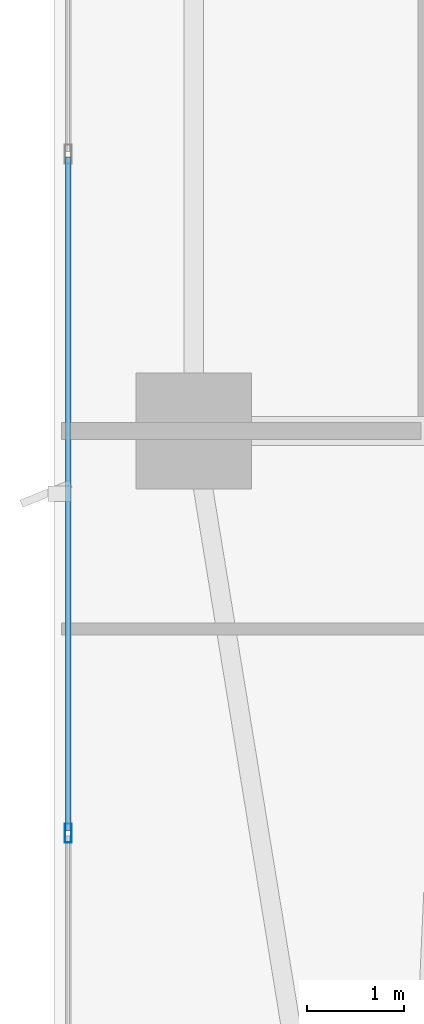
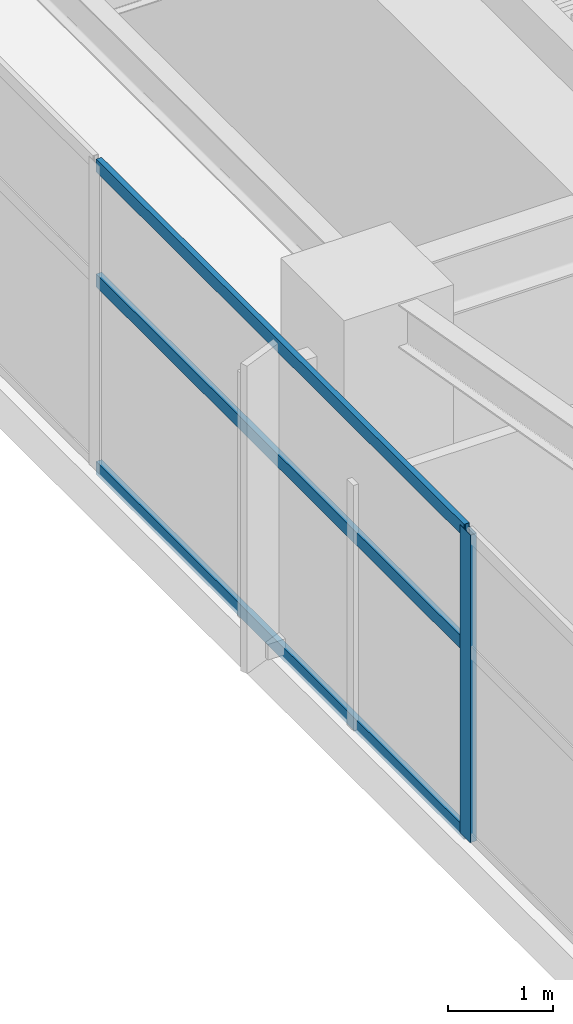
# One storey, part 4 of 28: 4 members, 1 element without a shape of its own.
"""IFC4 building model written with IfcOpenShell, lengths in metres."""

from ifc_helpers import new_model, si_unit, direction, frame, origin, origin_2d, place, context, subcontext, project, spatial, hollow_rectangle, extrude, material, layer, layer_set, material_profile, profile_set, type_object, element, aggregate, save


model = new_model("IFC4")

# Units and contexts
model_context = context("Model", 3, precision=1e-05, world=origin(), true_north=direction((0.0, 1.0)))
body_context = subcontext(model_context, "Body", "Model", "MODEL_VIEW")
ifc_project = project(units=[si_unit("LENGTHUNIT", "METRE"), si_unit("AREAUNIT", "SQUARE_METRE"), si_unit("VOLUMEUNIT", "CUBIC_METRE"), si_unit("PLANEANGLEUNIT", "RADIAN"), si_unit("MASSUNIT", "GRAM", prefix="KILO")], contexts=[model_context])

# Site, building, storey
site_placement = place(None, origin())
site = spatial("IfcSite", under=ifc_project, at=site_placement, CompositionType="ELEMENT")
building_placement = place(site_placement, origin())
building = spatial("IfcBuilding", under=site, at=building_placement, Name="Calvorn Quay Hotel", CompositionType="ELEMENT")
storey_placement = place(building_placement, frame((0.0, 0.0, 97.39990234375)))
storey = spatial("IfcBuildingStorey", under=building, at=storey_placement, Name="L23", CompositionType="ELEMENT", Elevation=97.39990234375)

# Curtain wall, members
ifc_material_1 = material(Name="Pale Anodised Aluminium and Low-E Glass", Category="aluminium")
ifc_layer = layer(ifc_material_1, 0.219970703125)
ifc_layer_set = layer_set([ifc_layer], Name="CW-SYS-Z2")
curtain_wall_type = type_object("IfcCurtainWallType", Name="CW-SYS-Z2", PredefinedType="NOTDEFINED", material=ifc_layer_set)
curtain_wall_placement = place(storey_placement, origin())
curtain_wall = element("IfcCurtainWall", 1, at=curtain_wall_placement, inside=storey, type_object=curtain_wall_type, Name="Tower West Curtain Wall (L23)", PredefinedType="NOTDEFINED")
ifc_material_2 = material(Name="Pale Anodised Aluminium 6063-T6", Category="aluminium")
ifc_material_profile_1 = material_profile(ifc_material_2, hollow_rectangle(XDim=0.070068359375, YDim=0.199951171875, WallThickness=0.00390625, at=origin_2d()), Name="ALU-M200x70x4")
ifc_profile_set_1 = profile_set([ifc_material_profile_1], Name="Pale Anodised Aluminium 6063-T6")
member_type_1 = type_object("IfcMemberType", Name="CW-SYS-Z2-MUL", PredefinedType="MULLION", material=ifc_profile_set_1)
member_1_placement = place(storey_placement, frame((0.14990234375, 12.63330078125, 0.0), z_axis=(0.0, 0.0, 1.0), x_axis=(-1.0, 0.0, 0.0)))
member_1 = element("IfcMember", 2, at=member_1_placement, type_object=member_type_1, Name="CW-L23-W mullion 2", PredefinedType="MULLION", context=body_context, shape_type="SweptSolid", body=[
    extrude(hollow_rectangle(XDim=0.070068359375, YDim=0.199951171875, WallThickness=0.00390625, at=origin_2d()), origin(), (0.0, 0.0, 1.0), 3.56005859375),
])
ifc_material_3 = material(Name="Pale Anodised Aluminium 6063-T6", Category="aluminium")
ifc_material_profile_2 = material_profile(ifc_material_3, hollow_rectangle(XDim=0.06005859375, YDim=0.14990234375, WallThickness=0.00341796875, at=origin_2d()), Name="ALU-T150x60x3.5")
ifc_profile_set_2 = profile_set([ifc_material_profile_2], Name="Pale Anodised Aluminium 6063-T6")
member_type_2 = type_object("IfcMemberType", Name="CW-SYS-Z2-TRN", PredefinedType="USERDEFINED", material=ifc_profile_set_2)
member_2_placement = place(storey_placement, frame((0.14990234375, 12.663330078125, 0.030029296875), z_axis=(0.0, 1.0, 0.0), x_axis=(-1.0, 0.0, 0.0)))
member_2 = element("IfcMember", 3, at=member_2_placement, type_object=member_type_2, Name="CW-L23-W transom 2.1", ObjectType="TRANSOM", PredefinedType="USERDEFINED", context=body_context, shape_type="SweptSolid", body=[
    extrude(hollow_rectangle(XDim=0.06005859375, YDim=0.14990234375, WallThickness=0.00341796875, at=origin_2d()), origin(), (0.0, 0.0, 1.0), 6.973388671875),
])
member_3_placement = place(storey_placement, frame((0.14990234375, 12.663330078125, 2.2001953125), z_axis=(0.0, 1.0, 0.0), x_axis=(-1.0, 0.0, 0.0)))
member_3 = element("IfcMember", 4, at=member_3_placement, type_object=member_type_2, Name="CW-L23-W transom 2.2", ObjectType="TRANSOM", PredefinedType="USERDEFINED", context=body_context, shape_type="SweptSolid", body=[
    extrude(hollow_rectangle(XDim=0.06005859375, YDim=0.14990234375, WallThickness=0.00341796875, at=origin_2d()), origin(), (0.0, 0.0, 1.0), 6.973388671875),
])
member_4_placement = place(storey_placement, frame((0.14990234375, 12.663330078125, 3.530029296875), z_axis=(0.0, 1.0, 0.0), x_axis=(-1.0, 0.0, 0.0)))
member_4 = element("IfcMember", 5, at=member_4_placement, type_object=member_type_2, Name="CW-L23-W transom 2.3", ObjectType="TRANSOM", PredefinedType="USERDEFINED", context=body_context, shape_type="SweptSolid", body=[
    extrude(hollow_rectangle(XDim=0.06005859375, YDim=0.14990234375, WallThickness=0.00341796875, at=origin_2d()), origin(), (0.0, 0.0, 1.0), 6.973388671875),
])
aggregate(curtain_wall, [member_1, member_2, member_3, member_4])

save(model, "model.ifc")
